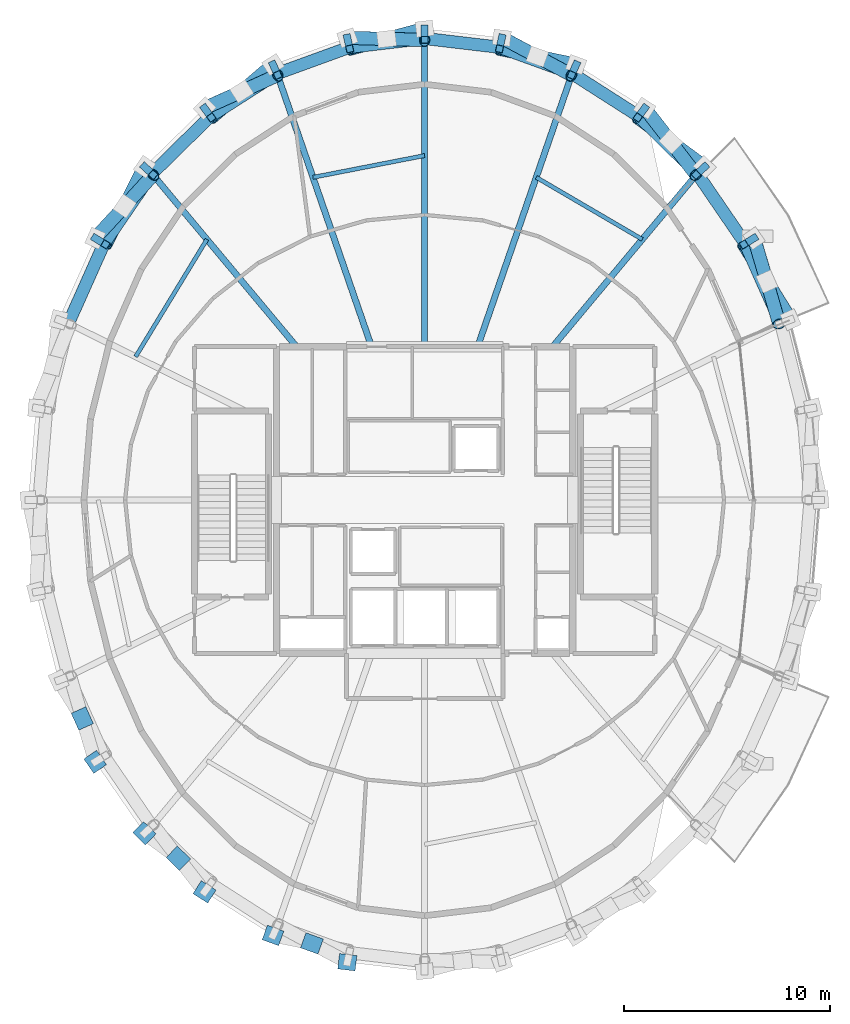
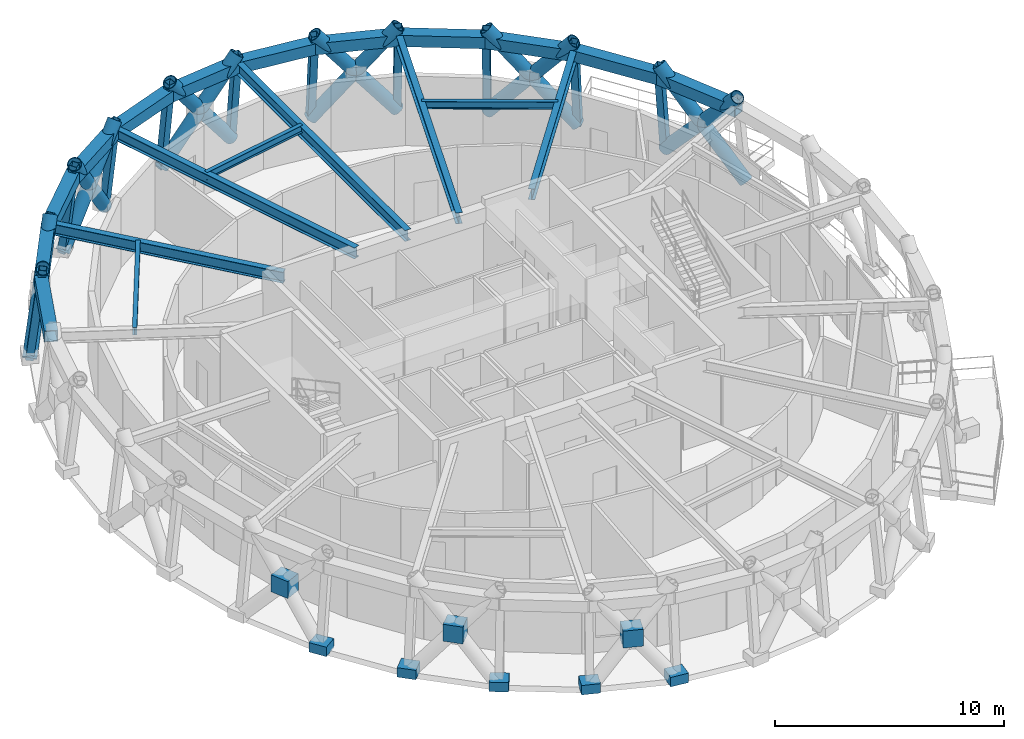
# One storey, part 5 of 11: 29 members, 20 beams, 8 plates.
"""IFC4 building model written with IfcOpenShell, lengths in metres."""

from ifc_helpers import new_model, si_unit, direction, frame, origin, origin_2d, place, context, subcontext, project, spatial, rectangle, hollow_rectangle, hollow_circle, i_section, extrude, material, layer, layer_set, material_profile, profile_set, type_object, element, save


model = new_model("IFC4")

# Units and contexts
model_context = context("Model", 3, precision=1e-05, world=origin(), true_north=direction((0.0, 1.0)))
body_context = subcontext(model_context, "Body", "Model", "MODEL_VIEW")
ifc_project = project(units=[si_unit("LENGTHUNIT", "METRE"), si_unit("AREAUNIT", "SQUARE_METRE"), si_unit("VOLUMEUNIT", "CUBIC_METRE"), si_unit("PLANEANGLEUNIT", "RADIAN"), si_unit("MASSUNIT", "GRAM", prefix="KILO")], contexts=[model_context])

# Site, building, storey
site_placement = place(None, origin())
site = spatial("IfcSite", under=ifc_project, at=site_placement, CompositionType="ELEMENT")
building_placement = place(site_placement, origin())
building = spatial("IfcBuilding", under=site, at=building_placement, Name="Veldorina Hangang Commons", CompositionType="ELEMENT")
storey_placement = place(building_placement, frame((0.0, 0.0, 297.60009765625)))
storey = spatial("IfcBuildingStorey", under=building, at=storey_placement, Name="L78", CompositionType="ELEMENT", Elevation=297.60009765625)

# Beams
ifc_material_1 = material(Name="Steel SM460-TMC", Category="steel")
ifc_material_profile_1 = material_profile(ifc_material_1, hollow_rectangle(XDim=0.60009765625, YDim=0.60009765625, WallThickness=0.030029296875, at=origin_2d()), Name="BOX-600x600x30")
ifc_profile_set_1 = profile_set([ifc_material_profile_1], Name="Steel SM460-TMC")
beam_type_1 = type_object("IfcBeamType", Name="BM-BLT600", PredefinedType="BEAM", material=ifc_profile_set_1)
beam_1_placement = place(storey_placement, frame((49.306640625, 32.581787109375, 4.139892578125), z_axis=(-0.407711623383, 0.913110744739, 0.0), x_axis=(-0.913110744739, -0.407711623383, 0.0)))
element("IfcBeam", 1, at=beam_1_placement, inside=storey, type_object=beam_type_1, Name="L78 perimeter hoop ring beam 02", PredefinedType="BEAM", context=body_context, shape_type="SweptSolid", body=[
    extrude(hollow_rectangle(XDim=0.60009765625, YDim=0.60009765625, WallThickness=0.030029296875, at=origin_2d()), origin(), (0.0, 0.0, 1.0), 4.24609375),
])
beam_2_placement = place(storey_placement, frame((47.575439453125, 36.458984375, 4.139892578125), z_axis=(-0.565401681527, 0.824815699733, 0.0), x_axis=(-0.824815699733, -0.565401681527, 0.0)))
element("IfcBeam", 2, at=beam_2_placement, inside=storey, type_object=beam_type_1, Name="L78 perimeter hoop ring beam 03", PredefinedType="BEAM", context=body_context, shape_type="SweptSolid", body=[
    extrude(hollow_rectangle(XDim=0.60009765625, YDim=0.60009765625, WallThickness=0.030029296875, at=origin_2d()), origin(), (0.0, 0.0, 1.0), 4.1201171875),
])
beam_3_placement = place(storey_placement, frame((45.245849609375, 39.857421875, 4.139892578125), z_axis=(-0.713336969604, 0.70082120958, 0.0), x_axis=(-0.70082120958, -0.713336969604, 0.0)))
element("IfcBeam", 3, at=beam_3_placement, inside=storey, type_object=beam_type_1, Name="L78 perimeter hoop ring beam 04", PredefinedType="BEAM", context=body_context, shape_type="SweptSolid", body=[
    extrude(hollow_rectangle(XDim=0.60009765625, YDim=0.60009765625, WallThickness=0.030029296875, at=origin_2d()), origin(), (0.0, 0.0, 1.0), 3.979248046875),
])
beam_4_placement = place(storey_placement, frame((42.4072265625, 42.646240234375, 4.139892578125), z_axis=(-0.84231752643, 0.538981618118, 0.0), x_axis=(-0.538981618118, -0.84231752643, 0.0)))
element("IfcBeam", 4, at=beam_4_placement, inside=storey, type_object=beam_type_1, Name="L78 perimeter hoop ring beam 05", PredefinedType="BEAM", context=body_context, shape_type="SweptSolid", body=[
    extrude(hollow_rectangle(XDim=0.60009765625, YDim=0.60009765625, WallThickness=0.030029296875, at=origin_2d()), origin(), (0.0, 0.0, 1.0), 3.8447265625),
])
beam_5_placement = place(storey_placement, frame((39.168701171875, 44.718505859375, 4.139892578125), z_axis=(-0.93992300186, 0.341386512, 0.0), x_axis=(-0.341386512, -0.93992300186, 0.0)))
element("IfcBeam", 5, at=beam_5_placement, inside=storey, type_object=beam_type_1, Name="L78 perimeter hoop ring beam 06", PredefinedType="BEAM", context=body_context, shape_type="SweptSolid", body=[
    extrude(hollow_rectangle(XDim=0.60009765625, YDim=0.60009765625, WallThickness=0.030029296875, at=origin_2d()), origin(), (0.0, 0.0, 1.0), 3.73876953125),
])
for number, where, z_axis, x_axis, name in (
    (6, (35.654541015625, 45.994873046875, 4.139892578125), (-0.993127942108, 0.117033715671, 0.0), (-0.117033715671, -0.993127942108, 0.0), "L78 perimeter hoop ring beam 07"),
    (7, (32.0, 46.425537109375, 4.139892578125), (-0.993127942108, -0.117033715671, 0.0), (0.117033715671, -0.993127942108, 0.0), "L78 perimeter hoop ring beam 08"),
):
    element("IfcBeam", number, at=place(storey_placement, frame(where, z_axis=z_axis, x_axis=x_axis)), inside=storey, type_object=beam_type_1, Name=name, PredefinedType="BEAM", context=body_context, shape_type="SweptSolid", body=[
        extrude(hollow_rectangle(XDim=0.60009765625, YDim=0.60009765625, WallThickness=0.030029296875, at=origin_2d()), origin(), (0.0, 0.0, 1.0), 3.679931640625),
    ])
beam_6_placement = place(storey_placement, frame((28.345458984375, 45.994873046875, 4.139892578125), z_axis=(-0.93992300186, -0.341386512, 0.0), x_axis=(0.341386512, -0.93992300186, 0.0)))
element("IfcBeam", 8, at=beam_6_placement, inside=storey, type_object=beam_type_1, Name="L78 perimeter hoop ring beam 09", PredefinedType="BEAM", context=body_context, shape_type="SweptSolid", body=[
    extrude(hollow_rectangle(XDim=0.60009765625, YDim=0.60009765625, WallThickness=0.030029296875, at=origin_2d()), origin(), (0.0, 0.0, 1.0), 3.73876953125),
])
beam_7_placement = place(storey_placement, frame((24.831298828125, 44.718505859375, 4.139892578125), z_axis=(-0.84231752643, -0.538981618118, 0.0), x_axis=(0.538981618118, -0.84231752643, 0.0)))
element("IfcBeam", 9, at=beam_7_placement, inside=storey, type_object=beam_type_1, Name="L78 perimeter hoop ring beam 10", PredefinedType="BEAM", context=body_context, shape_type="SweptSolid", body=[
    extrude(hollow_rectangle(XDim=0.60009765625, YDim=0.60009765625, WallThickness=0.030029296875, at=origin_2d()), origin(), (0.0, 0.0, 1.0), 3.8447265625),
])
beam_8_placement = place(storey_placement, frame((21.5927734375, 42.646240234375, 4.139892578125), z_axis=(-0.713336969604, -0.70082120958, 0.0), x_axis=(0.70082120958, -0.713336969604, 0.0)))
element("IfcBeam", 10, at=beam_8_placement, inside=storey, type_object=beam_type_1, Name="L78 perimeter hoop ring beam 11", PredefinedType="BEAM", context=body_context, shape_type="SweptSolid", body=[
    extrude(hollow_rectangle(XDim=0.60009765625, YDim=0.60009765625, WallThickness=0.030029296875, at=origin_2d()), origin(), (0.0, 0.0, 1.0), 3.979248046875),
])
beam_9_placement = place(storey_placement, frame((18.754150390625, 39.857421875, 4.139892578125), z_axis=(-0.565401681527, -0.824815699733, 0.0), x_axis=(0.824815699733, -0.565401681527, 0.0)))
element("IfcBeam", 11, at=beam_9_placement, inside=storey, type_object=beam_type_1, Name="L78 perimeter hoop ring beam 12", PredefinedType="BEAM", context=body_context, shape_type="SweptSolid", body=[
    extrude(hollow_rectangle(XDim=0.60009765625, YDim=0.60009765625, WallThickness=0.030029296875, at=origin_2d()), origin(), (0.0, 0.0, 1.0), 4.1201171875),
])
beam_10_placement = place(storey_placement, frame((16.424560546875, 36.458984375, 4.139892578125), z_axis=(-0.407711623383, -0.913110744739, 0.0), x_axis=(0.913110744739, -0.407711623383, 0.0)))
element("IfcBeam", 12, at=beam_10_placement, inside=storey, type_object=beam_type_1, Name="L78 perimeter hoop ring beam 13", PredefinedType="BEAM", context=body_context, shape_type="SweptSolid", body=[
    extrude(hollow_rectangle(XDim=0.60009765625, YDim=0.60009765625, WallThickness=0.030029296875, at=origin_2d()), origin(), (0.0, 0.0, 1.0), 4.24609375),
])
ifc_material_profile_2 = material_profile(ifc_material_1, i_section(OverallWidth=0.300048828125, OverallDepth=0.587890625, WebThickness=0.011962890625, FlangeThickness=0.02001953125, FilletRadius=0.01806640625, at=origin_2d()), Name="H-588x300x12x20")
ifc_profile_set_2 = profile_set([ifc_material_profile_2], Name="Steel SM460-TMC")
beam_type_2 = type_object("IfcBeamType", Name="BM-FG588", PredefinedType="BEAM", material=ifc_profile_set_2)
beam_11_placement = place(storey_placement, frame((38.22314453125, 31.449951171875, 4.14599609375), z_axis=(0.641071779477, 0.767480927163, 0.0), x_axis=(-0.767480927163, 0.641071779477, 0.0)))
element("IfcBeam", 13, at=beam_11_placement, inside=storey, type_object=beam_type_2, Name="L78 radial floor girder 03", PredefinedType="BEAM", context=body_context, shape_type="SweptSolid", body=[
    extrude(i_section(OverallWidth=0.300048828125, OverallDepth=0.587890625, WebThickness=0.011962890625, FlangeThickness=0.02001953125, FilletRadius=0.01806640625, at=origin_2d()), origin(), (0.0, 0.0, 1.0), 10.95458984375),
])
beam_12_placement = place(storey_placement, frame((34.57763671875, 31.449951171875, 4.14599609375), z_axis=(0.326989921623, 0.945027825599, 0.0), x_axis=(-0.945027825599, 0.326989921623, 0.0)))
element("IfcBeam", 14, at=beam_12_placement, inside=storey, type_object=beam_type_2, Name="L78 radial floor girder 04", PredefinedType="BEAM", context=body_context, shape_type="SweptSolid", body=[
    extrude(i_section(OverallWidth=0.300048828125, OverallDepth=0.587890625, WebThickness=0.011962890625, FlangeThickness=0.02001953125, FilletRadius=0.01806640625, at=origin_2d()), origin(), (0.0, 0.0, 1.0), 14.040283203125),
])
beam_13_placement = place(storey_placement, frame((32.0, 31.449951171875, 4.14599609375), z_axis=(0.0, 1.0, 0.0), x_axis=(-1.0, 0.0, 0.0)))
element("IfcBeam", 15, at=beam_13_placement, inside=storey, type_object=beam_type_2, Name="L78 radial floor girder 05", PredefinedType="BEAM", context=body_context, shape_type="SweptSolid", body=[
    extrude(i_section(OverallWidth=0.300048828125, OverallDepth=0.587890625, WebThickness=0.011962890625, FlangeThickness=0.02001953125, FilletRadius=0.01806640625, at=origin_2d()), origin(), (0.0, 0.0, 1.0), 14.9755859375),
])
beam_14_placement = place(storey_placement, frame((29.42236328125, 31.449951171875, 4.14599609375), z_axis=(-0.326989921623, 0.945027825599, 0.0), x_axis=(-0.945027825599, -0.326989921623, 0.0)))
element("IfcBeam", 16, at=beam_14_placement, inside=storey, type_object=beam_type_2, Name="L78 radial floor girder 06", PredefinedType="BEAM", context=body_context, shape_type="SweptSolid", body=[
    extrude(i_section(OverallWidth=0.300048828125, OverallDepth=0.587890625, WebThickness=0.011962890625, FlangeThickness=0.02001953125, FilletRadius=0.01806640625, at=origin_2d()), origin(), (0.0, 0.0, 1.0), 14.040283203125),
])
beam_15_placement = place(storey_placement, frame((25.77685546875, 31.449951171875, 4.14599609375), z_axis=(-0.641071779477, 0.767480927163, 0.0), x_axis=(-0.767480927163, -0.641071779477, 0.0)))
element("IfcBeam", 17, at=beam_15_placement, inside=storey, type_object=beam_type_2, Name="L78 radial floor girder 07", PredefinedType="BEAM", context=body_context, shape_type="SweptSolid", body=[
    extrude(i_section(OverallWidth=0.300048828125, OverallDepth=0.587890625, WebThickness=0.011962890625, FlangeThickness=0.02001953125, FilletRadius=0.01806640625, at=origin_2d()), origin(), (0.0, 0.0, 1.0), 10.95458984375),
])
ifc_material_2 = material(Name="Steel SM355-TMC", Category="steel")
ifc_material_profile_3 = material_profile(ifc_material_2, i_section(OverallWidth=0.199951171875, OverallDepth=0.39990234375, WebThickness=0.008056640625, FlangeThickness=0.012939453125, FilletRadius=0.012939453125, at=origin_2d()), Name="H-400x200x8x13")
ifc_profile_set_3 = profile_set([ifc_material_profile_3], Name="Steel SM355-TMC")
beam_type_3 = type_object("IfcBeamType", Name="BM-JST400", PredefinedType="JOIST", material=ifc_profile_set_3)
beam_16_placement = place(storey_placement, frame((42.5771484375, 36.66259765625, 4.239990234375), z_axis=(-0.863198363978, 0.504864917009, 0.0), x_axis=(-0.504864917009, -0.863198363978, 0.0)))
element("IfcBeam", 18, at=beam_16_placement, inside=storey, type_object=beam_type_3, Name="L78 secondary floor joist 03", PredefinedType="JOIST", context=body_context, shape_type="SweptSolid", body=[
    extrude(i_section(OverallWidth=0.199951171875, OverallDepth=0.39990234375, WebThickness=0.008056640625, FlangeThickness=0.012939453125, FilletRadius=0.012939453125, at=origin_2d()), origin(), (0.0, 0.0, 1.0), 5.9697265625),
])
beam_17_placement = place(storey_placement, frame((32.0, 40.73486328125, 4.239990234375), z_axis=(-0.981490794558, -0.191509321439, 0.0), x_axis=(0.191509321439, -0.981490794558, 0.0)))
element("IfcBeam", 19, at=beam_17_placement, inside=storey, type_object=beam_type_3, Name="L78 secondary floor joist 05", PredefinedType="JOIST", context=body_context, shape_type="SweptSolid", body=[
    extrude(i_section(OverallWidth=0.199951171875, OverallDepth=0.39990234375, WebThickness=0.008056640625, FlangeThickness=0.012939453125, FilletRadius=0.012939453125, at=origin_2d()), origin(), (0.0, 0.0, 1.0), 5.5263671875),
])
beam_18_placement = place(storey_placement, frame((21.4228515625, 36.66259765625, 4.239990234375), z_axis=(-0.519257016289, -0.854618131702, 0.0), x_axis=(0.854618131702, -0.519257016289, 0.0)))
element("IfcBeam", 20, at=beam_18_placement, inside=storey, type_object=beam_type_3, Name="L78 secondary floor joist 07", PredefinedType="JOIST", context=body_context, shape_type="SweptSolid", body=[
    extrude(i_section(OverallWidth=0.199951171875, OverallDepth=0.39990234375, WebThickness=0.008056640625, FlangeThickness=0.012939453125, FilletRadius=0.012939453125, at=origin_2d()), origin(), (0.0, 0.0, 1.0), 6.669921875),
])

# Members
ifc_material_profile_4 = material_profile(ifc_material_1, hollow_circle(Radius=0.324951171875, WallThickness=0.031982421875, at=origin_2d()), Name="CHS-650x32")
ifc_profile_set_4 = profile_set([ifc_material_profile_4], Name="Steel SM460-TMC")
member_type_1 = type_object("IfcMemberType", Name="DG-CHS650", PredefinedType="BRACE", material=ifc_profile_set_4)
member_1_placement = place(storey_placement, frame((49.78466796875, 32.763427734375, 0.0), z_axis=(-0.353268278742, 0.56663020272, 0.744400252955), x_axis=(-0.84858712723, -0.529055656335, 0.0)))
element("IfcMember", 21, at=member_1_placement, inside=storey, type_object=member_type_1, Name="L78 continuous perimeter diagrid brace 02", PredefinedType="BRACE", context=body_context, shape_type="SweptSolid", body=[
    extrude(hollow_circle(Radius=0.324951171875, WallThickness=0.031982421875, at=origin_2d()), origin(), (0.0, 0.0, 1.0), 6.447998046875),
])
member_2_placement = place(storey_placement, frame((48.005859375, 36.72265625, 0.0), z_axis=(0.190802228133, -0.643380346931, 0.741388048813), x_axis=(0.958728671102, 0.284322590041, 0.0)))
element("IfcMember", 22, at=member_2_placement, inside=storey, type_object=member_type_1, Name="L78 split perimeter diagrid lower brace 03", PredefinedType="BRACE", context=body_context, shape_type="SweptSolid", body=[
    extrude(hollow_circle(Radius=0.324951171875, WallThickness=0.031982421875, at=origin_2d()), origin(), (0.0, 0.0, 1.0), 3.2783203125),
])
member_3_placement = place(storey_placement, frame((48.63134765625, 34.613525390625, 2.430419921875), z_axis=(0.187419600422, -0.644589008787, 0.741200986999), x_axis=(0.960234124395, 0.279196035695, 0.0)))
element("IfcMember", 23, at=member_3_placement, inside=storey, type_object=member_type_1, Name="L78 split perimeter diagrid upper brace 03", PredefinedType="BRACE", context=body_context, shape_type="SweptSolid", body=[
    extrude(hollow_circle(Radius=0.324951171875, WallThickness=0.031982421875, at=origin_2d()), origin(), (0.0, 0.0, 1.0), 3.19677734375),
])
member_4_placement = place(storey_placement, frame((45.61181640625, 40.192626953125, 0.0), z_axis=(-0.518379712869, 0.3812508749, 0.765460804793), x_axis=(-0.59248054418, -0.805584759519, 0.0)))
element("IfcMember", 24, at=member_4_placement, inside=storey, type_object=member_type_1, Name="L78 continuous perimeter diagrid brace 04", PredefinedType="BRACE", context=body_context, shape_type="SweptSolid", body=[
    extrude(hollow_circle(Radius=0.324951171875, WallThickness=0.031982421875, at=origin_2d()), origin(), (0.0, 0.0, 1.0), 6.2705078125),
])
member_5_placement = place(storey_placement, frame((42.694580078125, 43.040771484375, 0.0), z_axis=(0.397236099612, -0.511998288805, 0.761617511239), x_axis=(0.790088108476, 0.612993295921, 0.0)))
element("IfcMember", 25, at=member_5_placement, inside=storey, type_object=member_type_1, Name="L78 split perimeter diagrid lower brace 05", PredefinedType="BRACE", context=body_context, shape_type="SweptSolid", body=[
    extrude(hollow_circle(Radius=0.324951171875, WallThickness=0.031982421875, at=origin_2d()), origin(), (0.0, 0.0, 1.0), 3.1953125),
])
member_6_placement = place(storey_placement, frame((43.9638671875, 41.40478515625, 2.43359375), z_axis=(0.39370412652, -0.515145981987, 0.761328889511), x_axis=(0.794529744997, 0.607225233596, 0.0)))
element("IfcMember", 26, at=member_6_placement, inside=storey, type_object=member_type_1, Name="L78 split perimeter diagrid upper brace 05", PredefinedType="BRACE", context=body_context, shape_type="SweptSolid", body=[
    extrude(hollow_circle(Radius=0.324951171875, WallThickness=0.031982421875, at=origin_2d()), origin(), (0.0, 0.0, 1.0), 3.10791015625),
])
member_7_placement = place(storey_placement, frame((39.36669921875, 45.15673828125, 0.0), z_axis=(-0.608648099301, 0.124710883551, 0.783578130591), x_axis=(-0.200727887858, -0.979647035945, 0.0)))
element("IfcMember", 27, at=member_7_placement, inside=storey, type_object=member_type_1, Name="L78 continuous perimeter diagrid brace 06", PredefinedType="BRACE", context=body_context, shape_type="SweptSolid", body=[
    extrude(hollow_circle(Radius=0.324951171875, WallThickness=0.031982421875, at=origin_2d()), origin(), (0.0, 0.0, 1.0), 6.12548828125),
])
member_8_placement = place(storey_placement, frame((35.755615234375, 46.4599609375, 0.0), z_axis=(0.550872268165, -0.293438495787, 0.781302497985), x_axis=(0.470139063633, 0.882592352588, 0.0)))
element("IfcMember", 28, at=member_8_placement, inside=storey, type_object=member_type_1, Name="L78 split perimeter diagrid lower brace 07", PredefinedType="BRACE", context=body_context, shape_type="SweptSolid", body=[
    extrude(hollow_circle(Radius=0.324951171875, WallThickness=0.031982421875, at=origin_2d()), origin(), (0.0, 0.0, 1.0), 3.119140625),
])
member_9_placement = place(storey_placement, frame((37.473876953125, 45.544677734375, 2.43701171875), z_axis=(0.549755559766, -0.296183632464, 0.781053186644), x_axis=(0.474300187559, 0.880363181921, 0.0)))
element("IfcMember", 29, at=member_9_placement, inside=storey, type_object=member_type_1, Name="L78 split perimeter diagrid upper brace 07", PredefinedType="BRACE", context=body_context, shape_type="SweptSolid", body=[
    extrude(hollow_circle(Radius=0.324951171875, WallThickness=0.031982421875, at=origin_2d()), origin(), (0.0, 0.0, 1.0), 3.025146484375),
])
member_10_placement = place(storey_placement, frame((32.0, 46.89990234375, 0.0), z_axis=(-0.596261626571, -0.160478117438, 0.786586833415), x_axis=(0.259892143817, -0.965637651286, 0.0)))
element("IfcMember", 30, at=member_10_placement, inside=storey, type_object=member_type_1, Name="L78 continuous perimeter diagrid brace 08", PredefinedType="BRACE", context=body_context, shape_type="SweptSolid", body=[
    extrude(hollow_circle(Radius=0.324951171875, WallThickness=0.031982421875, at=origin_2d()), origin(), (0.0, 0.0, 1.0), 6.10205078125),
])
member_11_placement = place(storey_placement, frame((28.244384765625, 46.4599609375, 0.0), z_axis=(0.61618541941, -0.018531299406, 0.787383083288), x_axis=(0.030060634515, 0.999548077009, 0.0)))
element("IfcMember", 31, at=member_11_placement, inside=storey, type_object=member_type_1, Name="L78 split perimeter diagrid lower brace 09", PredefinedType="BRACE", context=body_context, shape_type="SweptSolid", body=[
    extrude(hollow_circle(Radius=0.324951171875, WallThickness=0.031982421875, at=origin_2d()), origin(), (0.0, 0.0, 1.0), 3.095947265625),
])
member_12_placement = place(storey_placement, frame((30.152099609375, 46.402587890625, 2.437744140625), z_axis=(0.616075608672, -0.017499835627, 0.787492603237), x_axis=(0.02839388488, 0.999596812371, 0.0)))
element("IfcMember", 32, at=member_12_placement, inside=storey, type_object=member_type_1, Name="L78 split perimeter diagrid upper brace 09", PredefinedType="BRACE", context=body_context, shape_type="SweptSolid", body=[
    extrude(hollow_circle(Radius=0.324951171875, WallThickness=0.031982421875, at=origin_2d()), origin(), (0.0, 0.0, 1.0), 2.99951171875),
])
member_13_placement = place(storey_placement, frame((24.63330078125, 45.15673828125, 0.0), z_axis=(-0.481823117403, -0.414063058906, 0.772268260895), x_axis=(0.65176340903, -0.758422348464, 0.0)))
element("IfcMember", 33, at=member_13_placement, inside=storey, type_object=member_type_1, Name="L78 continuous perimeter diagrid brace 10", PredefinedType="BRACE", context=body_context, shape_type="SweptSolid", body=[
    extrude(hollow_circle(Radius=0.324951171875, WallThickness=0.031982421875, at=origin_2d()), origin(), (0.0, 0.0, 1.0), 6.215087890625),
])
member_14_placement = place(storey_placement, frame((21.305419921875, 43.040771484375, 0.0), z_axis=(0.576023209176, 0.258075193204, 0.775625204041), x_axis=(-0.408868426739, 0.91259334296, 0.0)))
element("IfcMember", 34, at=member_14_placement, inside=storey, type_object=member_type_1, Name="L78 split perimeter diagrid lower brace 11", PredefinedType="BRACE", context=body_context, shape_type="SweptSolid", body=[
    extrude(hollow_circle(Radius=0.324951171875, WallThickness=0.031982421875, at=origin_2d()), origin(), (0.0, 0.0, 1.0), 3.139892578125),
])
member_15_placement = place(storey_placement, frame((23.114013671875, 43.85107421875, 2.435302734375), z_axis=(0.573955534392, 0.261741028875, 0.775929557592), x_axis=(-0.414922180655, 0.909856903035, 0.0)))
element("IfcMember", 35, at=member_15_placement, inside=storey, type_object=member_type_1, Name="L78 split perimeter diagrid upper brace 11", PredefinedType="BRACE", context=body_context, shape_type="SweptSolid", body=[
    extrude(hollow_circle(Radius=0.324951171875, WallThickness=0.031982421875, at=origin_2d()), origin(), (0.0, 0.0, 1.0), 3.04736328125),
])
member_16_placement = place(storey_placement, frame((18.38818359375, 40.192626953125, 0.0), z_axis=(-0.29636955707, -0.590486369503, 0.750660331357), x_axis=(0.893744212456, -0.448576952931, 0.0)))
element("IfcMember", 36, at=member_16_placement, inside=storey, type_object=member_type_1, Name="L78 continuous perimeter diagrid brace 12", PredefinedType="BRACE", context=body_context, shape_type="SweptSolid", body=[
    extrude(hollow_circle(Radius=0.324951171875, WallThickness=0.031982421875, at=origin_2d()), origin(), (0.0, 0.0, 1.0), 6.39404296875),
])
member_17_placement = place(storey_placement, frame((15.994140625, 36.72265625, 0.0), z_axis=(0.444729621361, 0.482970462292, 0.754291121808), x_axis=(-0.735629799193, 0.677383789693, 0.0)))
element("IfcMember", 37, at=member_17_placement, inside=storey, type_object=member_type_1, Name="L78 split perimeter diagrid lower brace 13", PredefinedType="BRACE", context=body_context, shape_type="SweptSolid", body=[
    extrude(hollow_circle(Radius=0.324951171875, WallThickness=0.031982421875, at=origin_2d()), origin(), (0.0, 0.0, 1.0), 3.22412109375),
])
member_18_placement = place(storey_placement, frame((17.427978515625, 38.27978515625, 2.431884765625), z_axis=(0.44122823246, 0.485654492509, 0.754623986357), x_axis=(-0.740149288765, 0.672442585163, 0.0)))
element("IfcMember", 38, at=member_18_placement, inside=storey, type_object=member_type_1, Name="L78 split perimeter diagrid upper brace 13", PredefinedType="BRACE", context=body_context, shape_type="SweptSolid", body=[
    extrude(hollow_circle(Radius=0.324951171875, WallThickness=0.031982421875, at=origin_2d()), origin(), (0.0, 0.0, 1.0), 3.137939453125),
])
ifc_material_profile_5 = material_profile(ifc_material_2, hollow_rectangle(XDim=0.35009765625, YDim=0.35009765625, WallThickness=0.01611328125, at=origin_2d()), Name="SHS-350x350x16")
ifc_profile_set_5 = profile_set([ifc_material_profile_5], Name="Steel SM355-TMC")
member_type_2 = type_object("IfcMemberType", Name="STR-SHS350", PredefinedType="STRUT", material=ifc_profile_set_5)
member_19_placement = place(storey_placement, frame((48.005859375, 36.72265625, 0.0), z_axis=(-0.103203233308, -0.063214504942, 0.992649494535), x_axis=(0.522327247987, -0.85274512371, 0.0)))
element("IfcMember", 39, at=member_19_placement, inside=storey, type_object=member_type_2, Name="L78 perimeter ring node post 03", PredefinedType="STRUT", context=body_context, shape_type="SweptSolid", body=[
    extrude(hollow_rectangle(XDim=0.35009765625, YDim=0.35009765625, WallThickness=0.01611328125, at=origin_2d()), origin(), (0.0, 0.0, 1.0), 4.83544921875),
])
member_20_placement = place(storey_placement, frame((45.61181640625, 40.192626953125, 0.0), z_axis=(-0.087773983701, -0.080451067915, 0.992886374897), x_axis=(0.675686213147, -0.737189352448, 0.0)))
element("IfcMember", 40, at=member_20_placement, inside=storey, type_object=member_type_2, Name="L78 perimeter ring node post 04", PredefinedType="STRUT", context=body_context, shape_type="SweptSolid", body=[
    extrude(hollow_rectangle(XDim=0.35009765625, YDim=0.35009765625, WallThickness=0.01611328125, at=origin_2d()), origin(), (0.0, 0.0, 1.0), 4.834228515625),
])
member_21_placement = place(storey_placement, frame((42.694580078125, 43.040771484375, 0.0), z_axis=(-0.068952524645, -0.09466449171, 0.993118413561), x_axis=(0.808306873644, -0.588761410098, 0.0)))
element("IfcMember", 41, at=member_21_placement, inside=storey, type_object=member_type_2, Name="L78 perimeter ring node post 05", PredefinedType="STRUT", context=body_context, shape_type="SweptSolid", body=[
    extrude(hollow_rectangle(XDim=0.35009765625, YDim=0.35009765625, WallThickness=0.01611328125, at=origin_2d()), origin(), (0.0, 0.0, 1.0), 4.8330078125),
])
member_22_placement = place(storey_placement, frame((39.36669921875, 45.15673828125, 0.0), z_axis=(-0.047543953987, -0.105142367957, 0.993320016359), x_axis=(0.91117446479, -0.412020745491, 0.0)))
element("IfcMember", 42, at=member_22_placement, inside=storey, type_object=member_type_2, Name="L78 perimeter ring node post 06", PredefinedType="STRUT", context=body_context, shape_type="SweptSolid", body=[
    extrude(hollow_rectangle(XDim=0.35009765625, YDim=0.35009765625, WallThickness=0.01611328125, at=origin_2d()), origin(), (0.0, 0.0, 1.0), 4.83203125),
])
member_23_placement = place(storey_placement, frame((35.755615234375, 46.4599609375, 0.0), z_axis=(-0.024255244446, -0.11162465621, 0.993454387097), x_axis=(0.977196322174, -0.212337815592, 0.0)))
element("IfcMember", 43, at=member_23_placement, inside=storey, type_object=member_type_2, Name="L78 perimeter ring node post 07", PredefinedType="STRUT", context=body_context, shape_type="SweptSolid", body=[
    extrude(hollow_rectangle(XDim=0.35009765625, YDim=0.35009765625, WallThickness=0.01611328125, at=origin_2d()), origin(), (0.0, 0.0, 1.0), 4.83154296875),
])
member_24_placement = place(storey_placement, frame((32.0, 46.89990234375, 0.0), z_axis=(0.0, -0.113803127073, 0.993503320713), x_axis=(1.0, 0.0, 0.0)))
element("IfcMember", 44, at=member_24_placement, inside=storey, type_object=member_type_2, Name="L78 perimeter ring node post 08", PredefinedType="STRUT", context=body_context, shape_type="SweptSolid", body=[
    extrude(hollow_rectangle(XDim=0.35009765625, YDim=0.35009765625, WallThickness=0.01611328125, at=origin_2d()), origin(), (0.0, 0.0, 1.0), 4.831298828125),
])
member_25_placement = place(storey_placement, frame((28.244384765625, 46.4599609375, 0.0), z_axis=(0.024255244446, -0.11162465621, 0.993454387097), x_axis=(0.977196322174, 0.212337815592, 0.0)))
element("IfcMember", 45, at=member_25_placement, inside=storey, type_object=member_type_2, Name="L78 perimeter ring node post 09", PredefinedType="STRUT", context=body_context, shape_type="SweptSolid", body=[
    extrude(hollow_rectangle(XDim=0.35009765625, YDim=0.35009765625, WallThickness=0.01611328125, at=origin_2d()), origin(), (0.0, 0.0, 1.0), 4.83154296875),
])
member_26_placement = place(storey_placement, frame((24.63330078125, 45.15673828125, 0.0), z_axis=(0.047543953987, -0.105142367957, 0.993320016359), x_axis=(0.91117446479, 0.412020745491, 0.0)))
element("IfcMember", 46, at=member_26_placement, inside=storey, type_object=member_type_2, Name="L78 perimeter ring node post 10", PredefinedType="STRUT", context=body_context, shape_type="SweptSolid", body=[
    extrude(hollow_rectangle(XDim=0.35009765625, YDim=0.35009765625, WallThickness=0.01611328125, at=origin_2d()), origin(), (0.0, 0.0, 1.0), 4.83203125),
])
member_27_placement = place(storey_placement, frame((21.305419921875, 43.040771484375, 0.0), z_axis=(0.068952524645, -0.09466449171, 0.993118413561), x_axis=(0.808306873644, 0.588761410098, 0.0)))
element("IfcMember", 47, at=member_27_placement, inside=storey, type_object=member_type_2, Name="L78 perimeter ring node post 11", PredefinedType="STRUT", context=body_context, shape_type="SweptSolid", body=[
    extrude(hollow_rectangle(XDim=0.35009765625, YDim=0.35009765625, WallThickness=0.01611328125, at=origin_2d()), origin(), (0.0, 0.0, 1.0), 4.8330078125),
])
member_28_placement = place(storey_placement, frame((18.38818359375, 40.192626953125, 0.0), z_axis=(0.087773983701, -0.080451067915, 0.992886374897), x_axis=(0.675686213147, 0.737189352448, 0.0)))
element("IfcMember", 48, at=member_28_placement, inside=storey, type_object=member_type_2, Name="L78 perimeter ring node post 12", PredefinedType="STRUT", context=body_context, shape_type="SweptSolid", body=[
    extrude(hollow_rectangle(XDim=0.35009765625, YDim=0.35009765625, WallThickness=0.01611328125, at=origin_2d()), origin(), (0.0, 0.0, 1.0), 4.834228515625),
])
member_29_placement = place(storey_placement, frame((15.994140625, 36.72265625, 0.0), z_axis=(0.103203233308, -0.063214504942, 0.992649494535), x_axis=(0.522327247987, 0.85274512371, 0.0)))
element("IfcMember", 49, at=member_29_placement, inside=storey, type_object=member_type_2, Name="L78 perimeter ring node post 13", PredefinedType="STRUT", context=body_context, shape_type="SweptSolid", body=[
    extrude(hollow_rectangle(XDim=0.35009765625, YDim=0.35009765625, WallThickness=0.01611328125, at=origin_2d()), origin(), (0.0, 0.0, 1.0), 4.83544921875),
])

# Plates
ifc_layer = layer(ifc_material_1, 0.035888671875)
ifc_layer_set = layer_set([ifc_layer], Name="Steel SM460-TMC")
plate_type = type_object("IfcPlateType", Name="PL-STAR-36", PredefinedType="USERDEFINED", material=ifc_layer_set)
plate_1_placement = place(storey_placement, frame((15.36865234375, 13.386474609375, 1.98046875), z_axis=(0.0, 0.0, 1.0), x_axis=(0.409843434785, -0.912155885232, 0.0)))
element("IfcPlate", 50, at=plate_1_placement, inside=storey, type_object=plate_type, Name="L78 diagrid X-crossing star-node gusset plate 18", ObjectType="GUSSET PLATE", PredefinedType="USERDEFINED", context=body_context, shape_type="SweptSolid", body=[
    extrude(rectangle(XDim=0.89990234375, YDim=0.780029296875, at=origin_2d()), origin(), (0.0, 0.0, 1.0), 0.89990234375),
])
for number, where, z_axis, x_axis, name in (
    (51, (15.994140625, 11.27734375, -0.090087890625), (0.0, 0.0, 1.0), (0.567872477587, -0.823116546547, 0.0), "L78 diagrid star-node gusset plate 19"),
    (52, (18.38818359375, 7.807373046875, -0.090087890625), (0.0, 0.0, 1.0), (0.715534249881, -0.698577652983, 0.0), "L78 diagrid star-node gusset plate 20"),
):
    element("IfcPlate", number, at=place(storey_placement, frame(where, z_axis=z_axis, x_axis=x_axis)), inside=storey, type_object=plate_type, Name=name, ObjectType="GUSSET PLATE", PredefinedType="USERDEFINED", context=body_context, shape_type="SweptSolid", body=[
        extrude(rectangle(XDim=0.85009765625, YDim=0.75, at=origin_2d()), origin(), (0.0, 0.0, 1.0), 0.5),
    ])
plate_2_placement = place(storey_placement, frame((20.0361328125, 6.59521484375, 1.983642578125), z_axis=(0.0, 0.0, 1.0), x_axis=(0.715534249881, -0.698577652983, 0.0)))
element("IfcPlate", 53, at=plate_2_placement, inside=storey, type_object=plate_type, Name="L78 diagrid X-crossing star-node gusset plate 20", ObjectType="GUSSET PLATE", PredefinedType="USERDEFINED", context=body_context, shape_type="SweptSolid", body=[
    extrude(rectangle(XDim=0.89990234375, YDim=0.780029296875, at=origin_2d()), origin(), (0.0, 0.0, 1.0), 0.89990234375),
])
for number, where, z_axis, x_axis, name in (
    (54, (21.305419921875, 4.959228515625, -0.090087890625), (0.0, 0.0, 1.0), (0.843860006976, -0.536563405971, 0.0), "L78 diagrid star-node gusset plate 21"),
    (55, (24.63330078125, 2.84326171875, -0.090087890625), (0.0, 0.0, 1.0), (0.940626284052, -0.339443947877, 0.0), "L78 diagrid star-node gusset plate 22"),
):
    element("IfcPlate", number, at=place(storey_placement, frame(where, z_axis=z_axis, x_axis=x_axis)), inside=storey, type_object=plate_type, Name=name, ObjectType="GUSSET PLATE", PredefinedType="USERDEFINED", context=body_context, shape_type="SweptSolid", body=[
        extrude(rectangle(XDim=0.85009765625, YDim=0.75, at=origin_2d()), origin(), (0.0, 0.0, 1.0), 0.5),
    ])
plate_3_placement = place(storey_placement, frame((26.526123046875, 2.455322265625, 1.987060546875), z_axis=(0.0, 0.0, 1.0), x_axis=(0.940626284052, -0.339443947877, 0.0)))
element("IfcPlate", 56, at=plate_3_placement, inside=storey, type_object=plate_type, Name="L78 diagrid X-crossing star-node gusset plate 22", ObjectType="GUSSET PLATE", PredefinedType="USERDEFINED", context=body_context, shape_type="SweptSolid", body=[
    extrude(rectangle(XDim=0.89990234375, YDim=0.780029296875, at=origin_2d()), origin(), (0.0, 0.0, 1.0), 0.89990234375),
])
plate_4_placement = place(storey_placement, frame((28.244384765625, 1.5400390625, -0.090087890625), z_axis=(0.0, 0.0, 1.0), x_axis=(0.99320725372, -0.116358717585, 0.0)))
element("IfcPlate", 57, at=plate_4_placement, inside=storey, type_object=plate_type, Name="L78 diagrid star-node gusset plate 23", ObjectType="GUSSET PLATE", PredefinedType="USERDEFINED", context=body_context, shape_type="SweptSolid", body=[
    extrude(rectangle(XDim=0.85009765625, YDim=0.75, at=origin_2d()), origin(), (0.0, 0.0, 1.0), 0.5),
])

save(model, "model.ifc")
